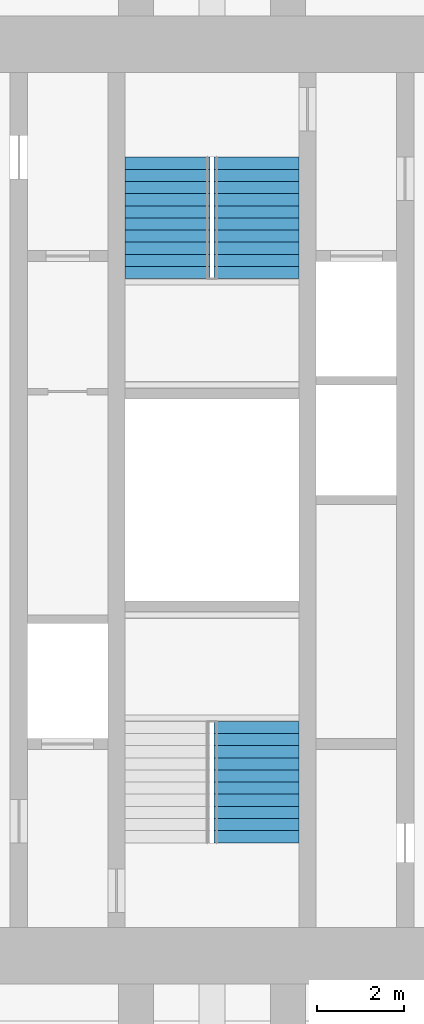
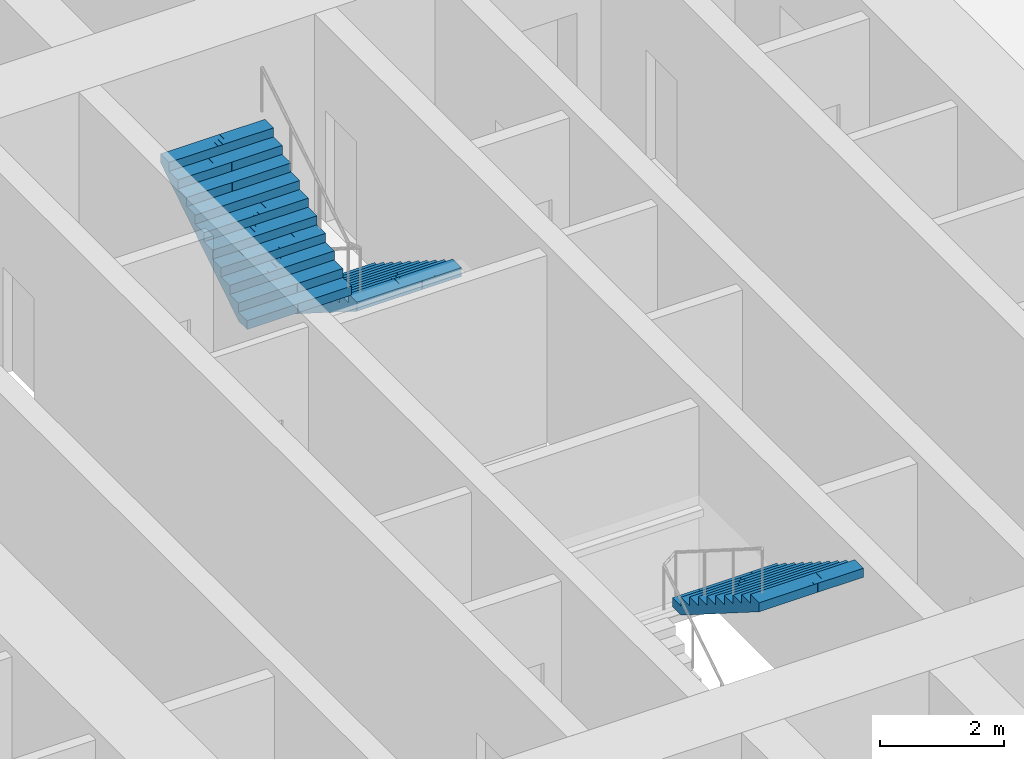
# One storey, part 16 of 17: 3 stair flights, 2 elements without a shape of their own.
"""IFC4 building model written with IfcOpenShell, lengths in metres."""

from ifc_helpers import new_model, si_unit, direction, frame, origin, place, context, subcontext, project, spatial, polyline, outline, extrude, material, type_object, element, aggregate, save


model = new_model("IFC4")

# Units and contexts
model_context = context("Model", 3, precision=1e-05, world=origin(), true_north=direction((0.0, 1.0)))
body_context = subcontext(model_context, "Body", "Model", "MODEL_VIEW")
ifc_project = project(units=[si_unit("LENGTHUNIT", "METRE"), si_unit("AREAUNIT", "SQUARE_METRE"), si_unit("VOLUMEUNIT", "CUBIC_METRE"), si_unit("PLANEANGLEUNIT", "RADIAN"), si_unit("MASSUNIT", "GRAM", prefix="KILO")], contexts=[model_context])

# Site, building, storey
site_placement = place(None, origin())
site = spatial("IfcSite", under=ifc_project, at=site_placement, CompositionType="ELEMENT")
building_placement = place(site_placement, origin())
building = spatial("IfcBuilding", under=site, at=building_placement, Name="Mizan Broadcast Tower", CompositionType="ELEMENT")
storey_placement = place(building_placement, frame((0.0, 0.0, 240.0)))
storey = spatial("IfcBuildingStorey", under=building, at=storey_placement, Name="L56", CompositionType="ELEMENT", Elevation=240.0)

# Stair, stair flight
ifc_material_1 = material(Name="Concrete C40/50", Category="concrete")
stair_type = type_object("IfcStairType", Name="EXIT STAIR", PredefinedType="HALF_TURN_STAIR", material=ifc_material_1)
stair_1_placement = place(storey_placement, origin())
stair_1 = element("IfcStair", 1, at=stair_1_placement, inside=storey, type_object=stair_type, Name="Stair A L56", PredefinedType="HALF_TURN_STAIR")
ifc_material_2 = material(Name="Concrete C40/50", Category="concrete")
stair_flight_type = type_object("IfcStairFlightType", Name="EXIT STAIR FLIGHT", PredefinedType="STRAIGHT", material=ifc_material_2)
stair_flight_1_placement = place(storey_placement, frame((1.02490234375, -5.10009765625, 1.949951171875), z_axis=(0.0, 0.0, 1.0), x_axis=(0.0, -1.0, 0.0)))
stair_flight_1 = element("IfcStairFlight", 2, at=stair_flight_1_placement, type_object=stair_flight_type, Name="A flight 2", NumberOfRisers=11, NumberOfTreads=10, PredefinedType="STRAIGHT", RiserHeight=0.177272727, TreadLength=0.28, context=body_context, shape_type="SweptSolid", body=[
    extrude(outline(polyline([(0.0, 0.0), (0.0, 0.17724609375), (0.280029296875, 0.17724609375), (0.280029296875, 0.3544921875), (0.56005859375, 0.3544921875), (0.56005859375, 0.53173828125), (0.840087890625, 0.53173828125), (0.840087890625, 0.708984375), (1.1201171875, 0.708984375), (1.1201171875, 0.886474609375), (1.39990234375, 0.886474609375), (1.39990234375, 1.063720703125), (1.679931640625, 1.063720703125), (1.679931640625, 1.240966796875), (1.9599609375, 1.240966796875), (1.9599609375, 1.418212890625), (2.239990234375, 1.418212890625), (2.239990234375, 1.595458984375), (2.52001953125, 1.595458984375), (2.52001953125, 1.772705078125), (2.800048828125, 1.772705078125), (2.800048828125, 1.949951171875), (2.800048828125, 1.59521484375), (0.2802734375, 0.0), (0.0, 0.0)])), frame((0.0, 0.97509765625, 0.0), z_axis=(0.0, -1.0, 0.0), x_axis=(1.0, 0.0, 0.0)), (0.0, 0.0, 1.0), 0.4873046875),
    extrude(outline(polyline([(0.0, 0.0), (0.0, 0.17724609375), (0.280029296875, 0.17724609375), (0.280029296875, 0.3544921875), (0.56005859375, 0.3544921875), (0.56005859375, 0.53173828125), (0.840087890625, 0.53173828125), (0.840087890625, 0.708984375), (1.1201171875, 0.708984375), (1.1201171875, 0.886474609375), (1.39990234375, 0.886474609375), (1.39990234375, 1.063720703125), (1.679931640625, 1.063720703125), (1.679931640625, 1.240966796875), (1.9599609375, 1.240966796875), (1.9599609375, 1.418212890625), (2.239990234375, 1.418212890625), (2.239990234375, 1.595458984375), (2.52001953125, 1.595458984375), (2.52001953125, 1.772705078125), (2.800048828125, 1.772705078125), (2.800048828125, 1.949951171875), (2.800048828125, 1.59521484375), (0.2802734375, 0.0), (0.0, 0.0)])), frame((0.0, 0.4873046875, 0.0), z_axis=(0.0, -1.0, 0.0), x_axis=(1.0, 0.0, 0.0)), (0.0, 0.0, 1.0), 0.2431640625),
    extrude(outline(polyline([(0.0, 0.0), (0.0, 0.17724609375), (0.280029296875, 0.17724609375), (0.280029296875, 0.3544921875), (0.56005859375, 0.3544921875), (0.56005859375, 0.53173828125), (0.840087890625, 0.53173828125), (0.840087890625, 0.708984375), (1.1201171875, 0.708984375), (1.1201171875, 0.886474609375), (1.39990234375, 0.886474609375), (1.39990234375, 1.063720703125), (1.679931640625, 1.063720703125), (1.679931640625, 1.240966796875), (1.9599609375, 1.240966796875), (1.9599609375, 1.418212890625), (2.239990234375, 1.418212890625), (2.239990234375, 1.595458984375), (2.52001953125, 1.595458984375), (2.52001953125, 1.772705078125), (2.800048828125, 1.772705078125), (2.800048828125, 1.949951171875), (2.800048828125, 1.59521484375), (0.2802734375, 0.0), (0.0, 0.0)])), frame((0.0, 0.24365234375, 0.0), z_axis=(0.0, -1.0, 0.0), x_axis=(1.0, 0.0, 0.0)), (0.0, 0.0, 1.0), 0.121337890625),
    extrude(outline(polyline([(0.0, 0.0), (0.0, 0.17724609375), (0.280029296875, 0.17724609375), (0.280029296875, 0.3544921875), (0.56005859375, 0.3544921875), (0.56005859375, 0.53173828125), (0.840087890625, 0.53173828125), (0.840087890625, 0.708984375), (1.1201171875, 0.708984375), (1.1201171875, 0.886474609375), (1.39990234375, 0.886474609375), (1.39990234375, 1.063720703125), (1.679931640625, 1.063720703125), (1.679931640625, 1.240966796875), (1.9599609375, 1.240966796875), (1.9599609375, 1.418212890625), (2.239990234375, 1.418212890625), (2.239990234375, 1.595458984375), (2.52001953125, 1.595458984375), (2.52001953125, 1.772705078125), (2.800048828125, 1.772705078125), (2.800048828125, 1.949951171875), (2.800048828125, 1.59521484375), (0.2802734375, 0.0), (0.0, 0.0)])), frame((0.0, 0.121826171875, 0.0), z_axis=(0.0, -1.0, 0.0), x_axis=(1.0, 0.0, 0.0)), (0.0, 0.0, 1.0), 0.060546875),
    extrude(outline(polyline([(0.0, 0.0), (0.0, 0.17724609375), (0.280029296875, 0.17724609375), (0.280029296875, 0.3544921875), (0.56005859375, 0.3544921875), (0.56005859375, 0.53173828125), (0.840087890625, 0.53173828125), (0.840087890625, 0.708984375), (1.1201171875, 0.708984375), (1.1201171875, 0.886474609375), (1.39990234375, 0.886474609375), (1.39990234375, 1.063720703125), (1.679931640625, 1.063720703125), (1.679931640625, 1.240966796875), (1.9599609375, 1.240966796875), (1.9599609375, 1.418212890625), (2.239990234375, 1.418212890625), (2.239990234375, 1.595458984375), (2.52001953125, 1.595458984375), (2.52001953125, 1.772705078125), (2.800048828125, 1.772705078125), (2.800048828125, 1.949951171875), (2.800048828125, 1.59521484375), (0.2802734375, 0.0), (0.0, 0.0)])), frame((0.0, 0.060791015625, 0.0), z_axis=(0.0, -1.0, 0.0), x_axis=(1.0, 0.0, 0.0)), (0.0, 0.0, 1.0), 0.030029296875),
    extrude(outline(polyline([(0.0, 0.0), (0.0, 0.17724609375), (0.280029296875, 0.17724609375), (0.280029296875, 0.3544921875), (0.56005859375, 0.3544921875), (0.56005859375, 0.53173828125), (0.840087890625, 0.53173828125), (0.840087890625, 0.708984375), (1.1201171875, 0.708984375), (1.1201171875, 0.886474609375), (1.39990234375, 0.886474609375), (1.39990234375, 1.063720703125), (1.679931640625, 1.063720703125), (1.679931640625, 1.240966796875), (1.9599609375, 1.240966796875), (1.9599609375, 1.418212890625), (2.239990234375, 1.418212890625), (2.239990234375, 1.595458984375), (2.52001953125, 1.595458984375), (2.52001953125, 1.772705078125), (2.800048828125, 1.772705078125), (2.800048828125, 1.949951171875), (2.800048828125, 1.59521484375), (0.2802734375, 0.0), (0.0, 0.0)])), frame((0.0, 0.0302734375, 0.0), z_axis=(0.0, -1.0, 0.0), x_axis=(1.0, 0.0, 0.0)), (0.0, 0.0, 1.0), 0.060302734375),
    extrude(outline(polyline([(0.0, 0.0), (0.0, 0.17724609375), (0.280029296875, 0.17724609375), (0.280029296875, 0.3544921875), (0.56005859375, 0.3544921875), (0.56005859375, 0.53173828125), (0.840087890625, 0.53173828125), (0.840087890625, 0.708984375), (1.1201171875, 0.708984375), (1.1201171875, 0.886474609375), (1.39990234375, 0.886474609375), (1.39990234375, 1.063720703125), (1.679931640625, 1.063720703125), (1.679931640625, 1.240966796875), (1.9599609375, 1.240966796875), (1.9599609375, 1.418212890625), (2.239990234375, 1.418212890625), (2.239990234375, 1.595458984375), (2.52001953125, 1.595458984375), (2.52001953125, 1.772705078125), (2.800048828125, 1.772705078125), (2.800048828125, 1.949951171875), (2.800048828125, 1.59521484375), (0.2802734375, 0.0), (0.0, 0.0)])), frame((0.0, -0.030517578125, 0.0), z_axis=(0.0, -1.0, 0.0), x_axis=(1.0, 0.0, 0.0)), (0.0, 0.0, 1.0), 0.030029296875),
    extrude(outline(polyline([(0.0, 0.0), (0.0, 0.17724609375), (0.280029296875, 0.17724609375), (0.280029296875, 0.3544921875), (0.56005859375, 0.3544921875), (0.56005859375, 0.53173828125), (0.840087890625, 0.53173828125), (0.840087890625, 0.708984375), (1.1201171875, 0.708984375), (1.1201171875, 0.886474609375), (1.39990234375, 0.886474609375), (1.39990234375, 1.063720703125), (1.679931640625, 1.063720703125), (1.679931640625, 1.240966796875), (1.9599609375, 1.240966796875), (1.9599609375, 1.418212890625), (2.239990234375, 1.418212890625), (2.239990234375, 1.595458984375), (2.52001953125, 1.595458984375), (2.52001953125, 1.772705078125), (2.800048828125, 1.772705078125), (2.800048828125, 1.949951171875), (2.800048828125, 1.59521484375), (0.2802734375, 0.0), (0.0, 0.0)])), frame((0.0, -0.06103515625, 0.0), z_axis=(0.0, -1.0, 0.0), x_axis=(1.0, 0.0, 0.0)), (0.0, 0.0, 1.0), 0.060546875),
    extrude(outline(polyline([(0.0, 0.0), (0.0, 0.17724609375), (0.280029296875, 0.17724609375), (0.280029296875, 0.3544921875), (0.56005859375, 0.3544921875), (0.56005859375, 0.53173828125), (0.840087890625, 0.53173828125), (0.840087890625, 0.708984375), (1.1201171875, 0.708984375), (1.1201171875, 0.886474609375), (1.39990234375, 0.886474609375), (1.39990234375, 1.063720703125), (1.679931640625, 1.063720703125), (1.679931640625, 1.240966796875), (1.9599609375, 1.240966796875), (1.9599609375, 1.418212890625), (2.239990234375, 1.418212890625), (2.239990234375, 1.595458984375), (2.52001953125, 1.595458984375), (2.52001953125, 1.772705078125), (2.800048828125, 1.772705078125), (2.800048828125, 1.949951171875), (2.800048828125, 1.59521484375), (0.2802734375, 0.0), (0.0, 0.0)])), frame((0.0, -0.1220703125, 0.0), z_axis=(0.0, -1.0, 0.0), x_axis=(1.0, 0.0, 0.0)), (0.0, 0.0, 1.0), 0.121337890625),
    extrude(outline(polyline([(0.0, 0.0), (0.0, 0.17724609375), (0.280029296875, 0.17724609375), (0.280029296875, 0.3544921875), (0.56005859375, 0.3544921875), (0.56005859375, 0.53173828125), (0.840087890625, 0.53173828125), (0.840087890625, 0.708984375), (1.1201171875, 0.708984375), (1.1201171875, 0.886474609375), (1.39990234375, 0.886474609375), (1.39990234375, 1.063720703125), (1.679931640625, 1.063720703125), (1.679931640625, 1.240966796875), (1.9599609375, 1.240966796875), (1.9599609375, 1.418212890625), (2.239990234375, 1.418212890625), (2.239990234375, 1.595458984375), (2.52001953125, 1.595458984375), (2.52001953125, 1.772705078125), (2.800048828125, 1.772705078125), (2.800048828125, 1.949951171875), (2.800048828125, 1.59521484375), (0.2802734375, 0.0), (0.0, 0.0)])), frame((0.0, -0.243896484375, 0.0), z_axis=(0.0, -1.0, 0.0), x_axis=(1.0, 0.0, 0.0)), (0.0, 0.0, 1.0), 0.2431640625),
    extrude(outline(polyline([(0.0, 0.0), (0.0, 0.17724609375), (0.280029296875, 0.17724609375), (0.280029296875, 0.3544921875), (0.56005859375, 0.3544921875), (0.56005859375, 0.53173828125), (0.840087890625, 0.53173828125), (0.840087890625, 0.708984375), (1.1201171875, 0.708984375), (1.1201171875, 0.886474609375), (1.39990234375, 0.886474609375), (1.39990234375, 1.063720703125), (1.679931640625, 1.063720703125), (1.679931640625, 1.240966796875), (1.9599609375, 1.240966796875), (1.9599609375, 1.418212890625), (2.239990234375, 1.418212890625), (2.239990234375, 1.595458984375), (2.52001953125, 1.595458984375), (2.52001953125, 1.772705078125), (2.800048828125, 1.772705078125), (2.800048828125, 1.949951171875), (2.800048828125, 1.59521484375), (0.2802734375, 0.0), (0.0, 0.0)])), frame((0.0, -0.487548828125, 0.0), z_axis=(0.0, -1.0, 0.0), x_axis=(1.0, 0.0, 0.0)), (0.0, 0.0, 1.0), 0.4873046875),
])
aggregate(stair_1, [stair_flight_1])

# Stair, stair flights
stair_2_placement = place(storey_placement, origin())
stair_2 = element("IfcStair", 3, at=stair_2_placement, inside=storey, type_object=stair_type, Name="Stair B L56", PredefinedType="HALF_TURN_STAIR")
stair_flight_2_placement = place(storey_placement, frame((1.02490234375, 7.89990234375, 0.0), z_axis=(0.0, 0.0, 1.0), x_axis=(0.0, -1.0, 0.0)))
stair_flight_2 = element("IfcStairFlight", 4, at=stair_flight_2_placement, type_object=stair_flight_type, Name="B flight 1", NumberOfRisers=11, NumberOfTreads=10, PredefinedType="STRAIGHT", RiserHeight=0.177272727, TreadLength=0.28, context=body_context, shape_type="SweptSolid", body=[
    extrude(outline(polyline([(0.0, 0.0), (0.0, 0.17724609375), (0.280029296875, 0.17724609375), (0.280029296875, 0.3544921875), (0.56005859375, 0.3544921875), (0.56005859375, 0.53173828125), (0.840087890625, 0.53173828125), (0.840087890625, 0.708984375), (1.1201171875, 0.708984375), (1.1201171875, 0.886474609375), (1.39990234375, 0.886474609375), (1.39990234375, 1.063720703125), (1.679931640625, 1.063720703125), (1.679931640625, 1.240966796875), (1.9599609375, 1.240966796875), (1.9599609375, 1.418212890625), (2.239990234375, 1.418212890625), (2.239990234375, 1.595458984375), (2.52001953125, 1.595458984375), (2.52001953125, 1.772705078125), (2.800048828125, 1.772705078125), (2.800048828125, 1.949951171875), (2.800048828125, 1.59521484375), (0.2802734375, 0.0), (0.0, 0.0)])), frame((0.0, 0.97509765625, 0.0), z_axis=(0.0, -1.0, 0.0), x_axis=(1.0, 0.0, 0.0)), (0.0, 0.0, 1.0), 0.4873046875),
    extrude(outline(polyline([(0.0, 0.0), (0.0, 0.17724609375), (0.280029296875, 0.17724609375), (0.280029296875, 0.3544921875), (0.56005859375, 0.3544921875), (0.56005859375, 0.53173828125), (0.840087890625, 0.53173828125), (0.840087890625, 0.708984375), (1.1201171875, 0.708984375), (1.1201171875, 0.886474609375), (1.39990234375, 0.886474609375), (1.39990234375, 1.063720703125), (1.679931640625, 1.063720703125), (1.679931640625, 1.240966796875), (1.9599609375, 1.240966796875), (1.9599609375, 1.418212890625), (2.239990234375, 1.418212890625), (2.239990234375, 1.595458984375), (2.52001953125, 1.595458984375), (2.52001953125, 1.772705078125), (2.800048828125, 1.772705078125), (2.800048828125, 1.949951171875), (2.800048828125, 1.59521484375), (0.2802734375, 0.0), (0.0, 0.0)])), frame((0.0, 0.4873046875, 0.0), z_axis=(0.0, -1.0, 0.0), x_axis=(1.0, 0.0, 0.0)), (0.0, 0.0, 1.0), 0.2431640625),
    extrude(outline(polyline([(0.0, 0.0), (0.0, 0.17724609375), (0.280029296875, 0.17724609375), (0.280029296875, 0.3544921875), (0.56005859375, 0.3544921875), (0.56005859375, 0.53173828125), (0.840087890625, 0.53173828125), (0.840087890625, 0.708984375), (1.1201171875, 0.708984375), (1.1201171875, 0.886474609375), (1.39990234375, 0.886474609375), (1.39990234375, 1.063720703125), (1.679931640625, 1.063720703125), (1.679931640625, 1.240966796875), (1.9599609375, 1.240966796875), (1.9599609375, 1.418212890625), (2.239990234375, 1.418212890625), (2.239990234375, 1.595458984375), (2.52001953125, 1.595458984375), (2.52001953125, 1.772705078125), (2.800048828125, 1.772705078125), (2.800048828125, 1.949951171875), (2.800048828125, 1.59521484375), (0.2802734375, 0.0), (0.0, 0.0)])), frame((0.0, 0.24365234375, 0.0), z_axis=(0.0, -1.0, 0.0), x_axis=(1.0, 0.0, 0.0)), (0.0, 0.0, 1.0), 0.121337890625),
    extrude(outline(polyline([(0.0, 0.0), (0.0, 0.17724609375), (0.280029296875, 0.17724609375), (0.280029296875, 0.3544921875), (0.56005859375, 0.3544921875), (0.56005859375, 0.53173828125), (0.840087890625, 0.53173828125), (0.840087890625, 0.708984375), (1.1201171875, 0.708984375), (1.1201171875, 0.886474609375), (1.39990234375, 0.886474609375), (1.39990234375, 1.063720703125), (1.679931640625, 1.063720703125), (1.679931640625, 1.240966796875), (1.9599609375, 1.240966796875), (1.9599609375, 1.418212890625), (2.239990234375, 1.418212890625), (2.239990234375, 1.595458984375), (2.52001953125, 1.595458984375), (2.52001953125, 1.772705078125), (2.800048828125, 1.772705078125), (2.800048828125, 1.949951171875), (2.800048828125, 1.59521484375), (0.2802734375, 0.0), (0.0, 0.0)])), frame((0.0, 0.121826171875, 0.0), z_axis=(0.0, -1.0, 0.0), x_axis=(1.0, 0.0, 0.0)), (0.0, 0.0, 1.0), 0.060546875),
    extrude(outline(polyline([(0.0, 0.0), (0.0, 0.17724609375), (0.280029296875, 0.17724609375), (0.280029296875, 0.3544921875), (0.56005859375, 0.3544921875), (0.56005859375, 0.53173828125), (0.840087890625, 0.53173828125), (0.840087890625, 0.708984375), (1.1201171875, 0.708984375), (1.1201171875, 0.886474609375), (1.39990234375, 0.886474609375), (1.39990234375, 1.063720703125), (1.679931640625, 1.063720703125), (1.679931640625, 1.240966796875), (1.9599609375, 1.240966796875), (1.9599609375, 1.418212890625), (2.239990234375, 1.418212890625), (2.239990234375, 1.595458984375), (2.52001953125, 1.595458984375), (2.52001953125, 1.772705078125), (2.800048828125, 1.772705078125), (2.800048828125, 1.949951171875), (2.800048828125, 1.59521484375), (0.2802734375, 0.0), (0.0, 0.0)])), frame((0.0, 0.060791015625, 0.0), z_axis=(0.0, -1.0, 0.0), x_axis=(1.0, 0.0, 0.0)), (0.0, 0.0, 1.0), 0.030029296875),
    extrude(outline(polyline([(0.0, 0.0), (0.0, 0.17724609375), (0.280029296875, 0.17724609375), (0.280029296875, 0.3544921875), (0.56005859375, 0.3544921875), (0.56005859375, 0.53173828125), (0.840087890625, 0.53173828125), (0.840087890625, 0.708984375), (1.1201171875, 0.708984375), (1.1201171875, 0.886474609375), (1.39990234375, 0.886474609375), (1.39990234375, 1.063720703125), (1.679931640625, 1.063720703125), (1.679931640625, 1.240966796875), (1.9599609375, 1.240966796875), (1.9599609375, 1.418212890625), (2.239990234375, 1.418212890625), (2.239990234375, 1.595458984375), (2.52001953125, 1.595458984375), (2.52001953125, 1.772705078125), (2.800048828125, 1.772705078125), (2.800048828125, 1.949951171875), (2.800048828125, 1.59521484375), (0.2802734375, 0.0), (0.0, 0.0)])), frame((0.0, 0.0302734375, 0.0), z_axis=(0.0, -1.0, 0.0), x_axis=(1.0, 0.0, 0.0)), (0.0, 0.0, 1.0), 0.060302734375),
    extrude(outline(polyline([(0.0, 0.0), (0.0, 0.17724609375), (0.280029296875, 0.17724609375), (0.280029296875, 0.3544921875), (0.56005859375, 0.3544921875), (0.56005859375, 0.53173828125), (0.840087890625, 0.53173828125), (0.840087890625, 0.708984375), (1.1201171875, 0.708984375), (1.1201171875, 0.886474609375), (1.39990234375, 0.886474609375), (1.39990234375, 1.063720703125), (1.679931640625, 1.063720703125), (1.679931640625, 1.240966796875), (1.9599609375, 1.240966796875), (1.9599609375, 1.418212890625), (2.239990234375, 1.418212890625), (2.239990234375, 1.595458984375), (2.52001953125, 1.595458984375), (2.52001953125, 1.772705078125), (2.800048828125, 1.772705078125), (2.800048828125, 1.949951171875), (2.800048828125, 1.59521484375), (0.2802734375, 0.0), (0.0, 0.0)])), frame((0.0, -0.030517578125, 0.0), z_axis=(0.0, -1.0, 0.0), x_axis=(1.0, 0.0, 0.0)), (0.0, 0.0, 1.0), 0.030029296875),
    extrude(outline(polyline([(0.0, 0.0), (0.0, 0.17724609375), (0.280029296875, 0.17724609375), (0.280029296875, 0.3544921875), (0.56005859375, 0.3544921875), (0.56005859375, 0.53173828125), (0.840087890625, 0.53173828125), (0.840087890625, 0.708984375), (1.1201171875, 0.708984375), (1.1201171875, 0.886474609375), (1.39990234375, 0.886474609375), (1.39990234375, 1.063720703125), (1.679931640625, 1.063720703125), (1.679931640625, 1.240966796875), (1.9599609375, 1.240966796875), (1.9599609375, 1.418212890625), (2.239990234375, 1.418212890625), (2.239990234375, 1.595458984375), (2.52001953125, 1.595458984375), (2.52001953125, 1.772705078125), (2.800048828125, 1.772705078125), (2.800048828125, 1.949951171875), (2.800048828125, 1.59521484375), (0.2802734375, 0.0), (0.0, 0.0)])), frame((0.0, -0.06103515625, 0.0), z_axis=(0.0, -1.0, 0.0), x_axis=(1.0, 0.0, 0.0)), (0.0, 0.0, 1.0), 0.060546875),
    extrude(outline(polyline([(0.0, 0.0), (0.0, 0.17724609375), (0.280029296875, 0.17724609375), (0.280029296875, 0.3544921875), (0.56005859375, 0.3544921875), (0.56005859375, 0.53173828125), (0.840087890625, 0.53173828125), (0.840087890625, 0.708984375), (1.1201171875, 0.708984375), (1.1201171875, 0.886474609375), (1.39990234375, 0.886474609375), (1.39990234375, 1.063720703125), (1.679931640625, 1.063720703125), (1.679931640625, 1.240966796875), (1.9599609375, 1.240966796875), (1.9599609375, 1.418212890625), (2.239990234375, 1.418212890625), (2.239990234375, 1.595458984375), (2.52001953125, 1.595458984375), (2.52001953125, 1.772705078125), (2.800048828125, 1.772705078125), (2.800048828125, 1.949951171875), (2.800048828125, 1.59521484375), (0.2802734375, 0.0), (0.0, 0.0)])), frame((0.0, -0.1220703125, 0.0), z_axis=(0.0, -1.0, 0.0), x_axis=(1.0, 0.0, 0.0)), (0.0, 0.0, 1.0), 0.121337890625),
    extrude(outline(polyline([(0.0, 0.0), (0.0, 0.17724609375), (0.280029296875, 0.17724609375), (0.280029296875, 0.3544921875), (0.56005859375, 0.3544921875), (0.56005859375, 0.53173828125), (0.840087890625, 0.53173828125), (0.840087890625, 0.708984375), (1.1201171875, 0.708984375), (1.1201171875, 0.886474609375), (1.39990234375, 0.886474609375), (1.39990234375, 1.063720703125), (1.679931640625, 1.063720703125), (1.679931640625, 1.240966796875), (1.9599609375, 1.240966796875), (1.9599609375, 1.418212890625), (2.239990234375, 1.418212890625), (2.239990234375, 1.595458984375), (2.52001953125, 1.595458984375), (2.52001953125, 1.772705078125), (2.800048828125, 1.772705078125), (2.800048828125, 1.949951171875), (2.800048828125, 1.59521484375), (0.2802734375, 0.0), (0.0, 0.0)])), frame((0.0, -0.243896484375, 0.0), z_axis=(0.0, -1.0, 0.0), x_axis=(1.0, 0.0, 0.0)), (0.0, 0.0, 1.0), 0.2431640625),
    extrude(outline(polyline([(0.0, 0.0), (0.0, 0.17724609375), (0.280029296875, 0.17724609375), (0.280029296875, 0.3544921875), (0.56005859375, 0.3544921875), (0.56005859375, 0.53173828125), (0.840087890625, 0.53173828125), (0.840087890625, 0.708984375), (1.1201171875, 0.708984375), (1.1201171875, 0.886474609375), (1.39990234375, 0.886474609375), (1.39990234375, 1.063720703125), (1.679931640625, 1.063720703125), (1.679931640625, 1.240966796875), (1.9599609375, 1.240966796875), (1.9599609375, 1.418212890625), (2.239990234375, 1.418212890625), (2.239990234375, 1.595458984375), (2.52001953125, 1.595458984375), (2.52001953125, 1.772705078125), (2.800048828125, 1.772705078125), (2.800048828125, 1.949951171875), (2.800048828125, 1.59521484375), (0.2802734375, 0.0), (0.0, 0.0)])), frame((0.0, -0.487548828125, 0.0), z_axis=(0.0, -1.0, 0.0), x_axis=(1.0, 0.0, 0.0)), (0.0, 0.0, 1.0), 0.4873046875),
])
stair_flight_3_placement = place(storey_placement, frame((-1.02490234375, 5.10009765625, 1.949951171875), z_axis=(0.0, 0.0, 1.0), x_axis=(0.0, 1.0, 0.0)))
stair_flight_3 = element("IfcStairFlight", 5, at=stair_flight_3_placement, type_object=stair_flight_type, Name="B flight 2", NumberOfRisers=11, NumberOfTreads=10, PredefinedType="STRAIGHT", RiserHeight=0.177272727, TreadLength=0.28, context=body_context, shape_type="SweptSolid", body=[
    extrude(outline(polyline([(0.0, 0.0), (0.0, 0.17724609375), (0.280029296875, 0.17724609375), (0.280029296875, 0.3544921875), (0.56005859375, 0.3544921875), (0.56005859375, 0.53173828125), (0.840087890625, 0.53173828125), (0.840087890625, 0.708984375), (1.1201171875, 0.708984375), (1.1201171875, 0.886474609375), (1.39990234375, 0.886474609375), (1.39990234375, 1.063720703125), (1.679931640625, 1.063720703125), (1.679931640625, 1.240966796875), (1.9599609375, 1.240966796875), (1.9599609375, 1.418212890625), (2.239990234375, 1.418212890625), (2.239990234375, 1.595458984375), (2.52001953125, 1.595458984375), (2.52001953125, 1.772705078125), (2.800048828125, 1.772705078125), (2.800048828125, 1.949951171875), (2.800048828125, 1.59521484375), (0.2802734375, 0.0), (0.0, 0.0)])), frame((0.0, 0.97509765625, 0.0), z_axis=(0.0, -1.0, 0.0), x_axis=(1.0, 0.0, 0.0)), (0.0, 0.0, 1.0), 0.4873046875),
    extrude(outline(polyline([(0.0, 0.0), (0.0, 0.17724609375), (0.280029296875, 0.17724609375), (0.280029296875, 0.3544921875), (0.56005859375, 0.3544921875), (0.56005859375, 0.53173828125), (0.840087890625, 0.53173828125), (0.840087890625, 0.708984375), (1.1201171875, 0.708984375), (1.1201171875, 0.886474609375), (1.39990234375, 0.886474609375), (1.39990234375, 1.063720703125), (1.679931640625, 1.063720703125), (1.679931640625, 1.240966796875), (1.9599609375, 1.240966796875), (1.9599609375, 1.418212890625), (2.239990234375, 1.418212890625), (2.239990234375, 1.595458984375), (2.52001953125, 1.595458984375), (2.52001953125, 1.772705078125), (2.800048828125, 1.772705078125), (2.800048828125, 1.949951171875), (2.800048828125, 1.59521484375), (0.2802734375, 0.0), (0.0, 0.0)])), frame((0.0, 0.4873046875, 0.0), z_axis=(0.0, -1.0, 0.0), x_axis=(1.0, 0.0, 0.0)), (0.0, 0.0, 1.0), 0.2431640625),
    extrude(outline(polyline([(0.0, 0.0), (0.0, 0.17724609375), (0.280029296875, 0.17724609375), (0.280029296875, 0.3544921875), (0.56005859375, 0.3544921875), (0.56005859375, 0.53173828125), (0.840087890625, 0.53173828125), (0.840087890625, 0.708984375), (1.1201171875, 0.708984375), (1.1201171875, 0.886474609375), (1.39990234375, 0.886474609375), (1.39990234375, 1.063720703125), (1.679931640625, 1.063720703125), (1.679931640625, 1.240966796875), (1.9599609375, 1.240966796875), (1.9599609375, 1.418212890625), (2.239990234375, 1.418212890625), (2.239990234375, 1.595458984375), (2.52001953125, 1.595458984375), (2.52001953125, 1.772705078125), (2.800048828125, 1.772705078125), (2.800048828125, 1.949951171875), (2.800048828125, 1.59521484375), (0.2802734375, 0.0), (0.0, 0.0)])), frame((0.0, 0.24365234375, 0.0), z_axis=(0.0, -1.0, 0.0), x_axis=(1.0, 0.0, 0.0)), (0.0, 0.0, 1.0), 0.121337890625),
    extrude(outline(polyline([(0.0, 0.0), (0.0, 0.17724609375), (0.280029296875, 0.17724609375), (0.280029296875, 0.3544921875), (0.56005859375, 0.3544921875), (0.56005859375, 0.53173828125), (0.840087890625, 0.53173828125), (0.840087890625, 0.708984375), (1.1201171875, 0.708984375), (1.1201171875, 0.886474609375), (1.39990234375, 0.886474609375), (1.39990234375, 1.063720703125), (1.679931640625, 1.063720703125), (1.679931640625, 1.240966796875), (1.9599609375, 1.240966796875), (1.9599609375, 1.418212890625), (2.239990234375, 1.418212890625), (2.239990234375, 1.595458984375), (2.52001953125, 1.595458984375), (2.52001953125, 1.772705078125), (2.800048828125, 1.772705078125), (2.800048828125, 1.949951171875), (2.800048828125, 1.59521484375), (0.2802734375, 0.0), (0.0, 0.0)])), frame((0.0, 0.121826171875, 0.0), z_axis=(0.0, -1.0, 0.0), x_axis=(1.0, 0.0, 0.0)), (0.0, 0.0, 1.0), 0.060546875),
    extrude(outline(polyline([(0.0, 0.0), (0.0, 0.17724609375), (0.280029296875, 0.17724609375), (0.280029296875, 0.3544921875), (0.56005859375, 0.3544921875), (0.56005859375, 0.53173828125), (0.840087890625, 0.53173828125), (0.840087890625, 0.708984375), (1.1201171875, 0.708984375), (1.1201171875, 0.886474609375), (1.39990234375, 0.886474609375), (1.39990234375, 1.063720703125), (1.679931640625, 1.063720703125), (1.679931640625, 1.240966796875), (1.9599609375, 1.240966796875), (1.9599609375, 1.418212890625), (2.239990234375, 1.418212890625), (2.239990234375, 1.595458984375), (2.52001953125, 1.595458984375), (2.52001953125, 1.772705078125), (2.800048828125, 1.772705078125), (2.800048828125, 1.949951171875), (2.800048828125, 1.59521484375), (0.2802734375, 0.0), (0.0, 0.0)])), frame((0.0, 0.060791015625, 0.0), z_axis=(0.0, -1.0, 0.0), x_axis=(1.0, 0.0, 0.0)), (0.0, 0.0, 1.0), 0.030029296875),
    extrude(outline(polyline([(0.0, 0.0), (0.0, 0.17724609375), (0.280029296875, 0.17724609375), (0.280029296875, 0.3544921875), (0.56005859375, 0.3544921875), (0.56005859375, 0.53173828125), (0.840087890625, 0.53173828125), (0.840087890625, 0.708984375), (1.1201171875, 0.708984375), (1.1201171875, 0.886474609375), (1.39990234375, 0.886474609375), (1.39990234375, 1.063720703125), (1.679931640625, 1.063720703125), (1.679931640625, 1.240966796875), (1.9599609375, 1.240966796875), (1.9599609375, 1.418212890625), (2.239990234375, 1.418212890625), (2.239990234375, 1.595458984375), (2.52001953125, 1.595458984375), (2.52001953125, 1.772705078125), (2.800048828125, 1.772705078125), (2.800048828125, 1.949951171875), (2.800048828125, 1.59521484375), (0.2802734375, 0.0), (0.0, 0.0)])), frame((0.0, 0.0302734375, 0.0), z_axis=(0.0, -1.0, 0.0), x_axis=(1.0, 0.0, 0.0)), (0.0, 0.0, 1.0), 0.060302734375),
    extrude(outline(polyline([(0.0, 0.0), (0.0, 0.17724609375), (0.280029296875, 0.17724609375), (0.280029296875, 0.3544921875), (0.56005859375, 0.3544921875), (0.56005859375, 0.53173828125), (0.840087890625, 0.53173828125), (0.840087890625, 0.708984375), (1.1201171875, 0.708984375), (1.1201171875, 0.886474609375), (1.39990234375, 0.886474609375), (1.39990234375, 1.063720703125), (1.679931640625, 1.063720703125), (1.679931640625, 1.240966796875), (1.9599609375, 1.240966796875), (1.9599609375, 1.418212890625), (2.239990234375, 1.418212890625), (2.239990234375, 1.595458984375), (2.52001953125, 1.595458984375), (2.52001953125, 1.772705078125), (2.800048828125, 1.772705078125), (2.800048828125, 1.949951171875), (2.800048828125, 1.59521484375), (0.2802734375, 0.0), (0.0, 0.0)])), frame((0.0, -0.030517578125, 0.0), z_axis=(0.0, -1.0, 0.0), x_axis=(1.0, 0.0, 0.0)), (0.0, 0.0, 1.0), 0.030029296875),
    extrude(outline(polyline([(0.0, 0.0), (0.0, 0.17724609375), (0.280029296875, 0.17724609375), (0.280029296875, 0.3544921875), (0.56005859375, 0.3544921875), (0.56005859375, 0.53173828125), (0.840087890625, 0.53173828125), (0.840087890625, 0.708984375), (1.1201171875, 0.708984375), (1.1201171875, 0.886474609375), (1.39990234375, 0.886474609375), (1.39990234375, 1.063720703125), (1.679931640625, 1.063720703125), (1.679931640625, 1.240966796875), (1.9599609375, 1.240966796875), (1.9599609375, 1.418212890625), (2.239990234375, 1.418212890625), (2.239990234375, 1.595458984375), (2.52001953125, 1.595458984375), (2.52001953125, 1.772705078125), (2.800048828125, 1.772705078125), (2.800048828125, 1.949951171875), (2.800048828125, 1.59521484375), (0.2802734375, 0.0), (0.0, 0.0)])), frame((0.0, -0.06103515625, 0.0), z_axis=(0.0, -1.0, 0.0), x_axis=(1.0, 0.0, 0.0)), (0.0, 0.0, 1.0), 0.060546875),
    extrude(outline(polyline([(0.0, 0.0), (0.0, 0.17724609375), (0.280029296875, 0.17724609375), (0.280029296875, 0.3544921875), (0.56005859375, 0.3544921875), (0.56005859375, 0.53173828125), (0.840087890625, 0.53173828125), (0.840087890625, 0.708984375), (1.1201171875, 0.708984375), (1.1201171875, 0.886474609375), (1.39990234375, 0.886474609375), (1.39990234375, 1.063720703125), (1.679931640625, 1.063720703125), (1.679931640625, 1.240966796875), (1.9599609375, 1.240966796875), (1.9599609375, 1.418212890625), (2.239990234375, 1.418212890625), (2.239990234375, 1.595458984375), (2.52001953125, 1.595458984375), (2.52001953125, 1.772705078125), (2.800048828125, 1.772705078125), (2.800048828125, 1.949951171875), (2.800048828125, 1.59521484375), (0.2802734375, 0.0), (0.0, 0.0)])), frame((0.0, -0.1220703125, 0.0), z_axis=(0.0, -1.0, 0.0), x_axis=(1.0, 0.0, 0.0)), (0.0, 0.0, 1.0), 0.121337890625),
    extrude(outline(polyline([(0.0, 0.0), (0.0, 0.17724609375), (0.280029296875, 0.17724609375), (0.280029296875, 0.3544921875), (0.56005859375, 0.3544921875), (0.56005859375, 0.53173828125), (0.840087890625, 0.53173828125), (0.840087890625, 0.708984375), (1.1201171875, 0.708984375), (1.1201171875, 0.886474609375), (1.39990234375, 0.886474609375), (1.39990234375, 1.063720703125), (1.679931640625, 1.063720703125), (1.679931640625, 1.240966796875), (1.9599609375, 1.240966796875), (1.9599609375, 1.418212890625), (2.239990234375, 1.418212890625), (2.239990234375, 1.595458984375), (2.52001953125, 1.595458984375), (2.52001953125, 1.772705078125), (2.800048828125, 1.772705078125), (2.800048828125, 1.949951171875), (2.800048828125, 1.59521484375), (0.2802734375, 0.0), (0.0, 0.0)])), frame((0.0, -0.243896484375, 0.0), z_axis=(0.0, -1.0, 0.0), x_axis=(1.0, 0.0, 0.0)), (0.0, 0.0, 1.0), 0.2431640625),
    extrude(outline(polyline([(0.0, 0.0), (0.0, 0.17724609375), (0.280029296875, 0.17724609375), (0.280029296875, 0.3544921875), (0.56005859375, 0.3544921875), (0.56005859375, 0.53173828125), (0.840087890625, 0.53173828125), (0.840087890625, 0.708984375), (1.1201171875, 0.708984375), (1.1201171875, 0.886474609375), (1.39990234375, 0.886474609375), (1.39990234375, 1.063720703125), (1.679931640625, 1.063720703125), (1.679931640625, 1.240966796875), (1.9599609375, 1.240966796875), (1.9599609375, 1.418212890625), (2.239990234375, 1.418212890625), (2.239990234375, 1.595458984375), (2.52001953125, 1.595458984375), (2.52001953125, 1.772705078125), (2.800048828125, 1.772705078125), (2.800048828125, 1.949951171875), (2.800048828125, 1.59521484375), (0.2802734375, 0.0), (0.0, 0.0)])), frame((0.0, -0.487548828125, 0.0), z_axis=(0.0, -1.0, 0.0), x_axis=(1.0, 0.0, 0.0)), (0.0, 0.0, 1.0), 0.4873046875),
])
aggregate(stair_2, [stair_flight_2, stair_flight_3])

save(model, "model.ifc")
